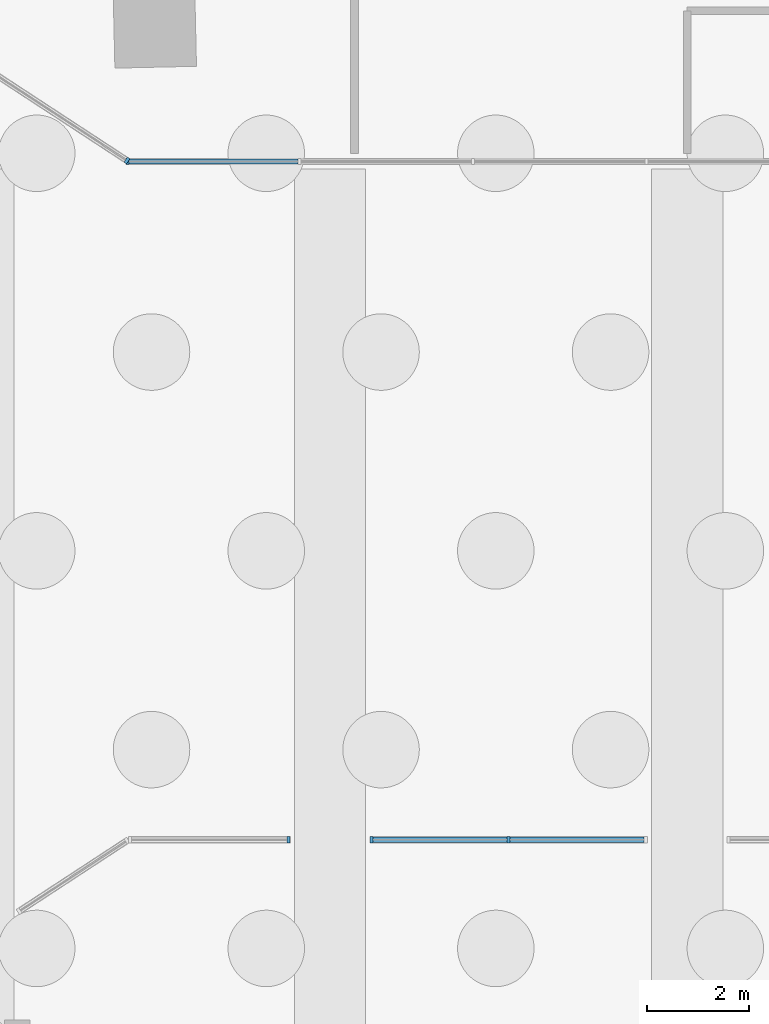
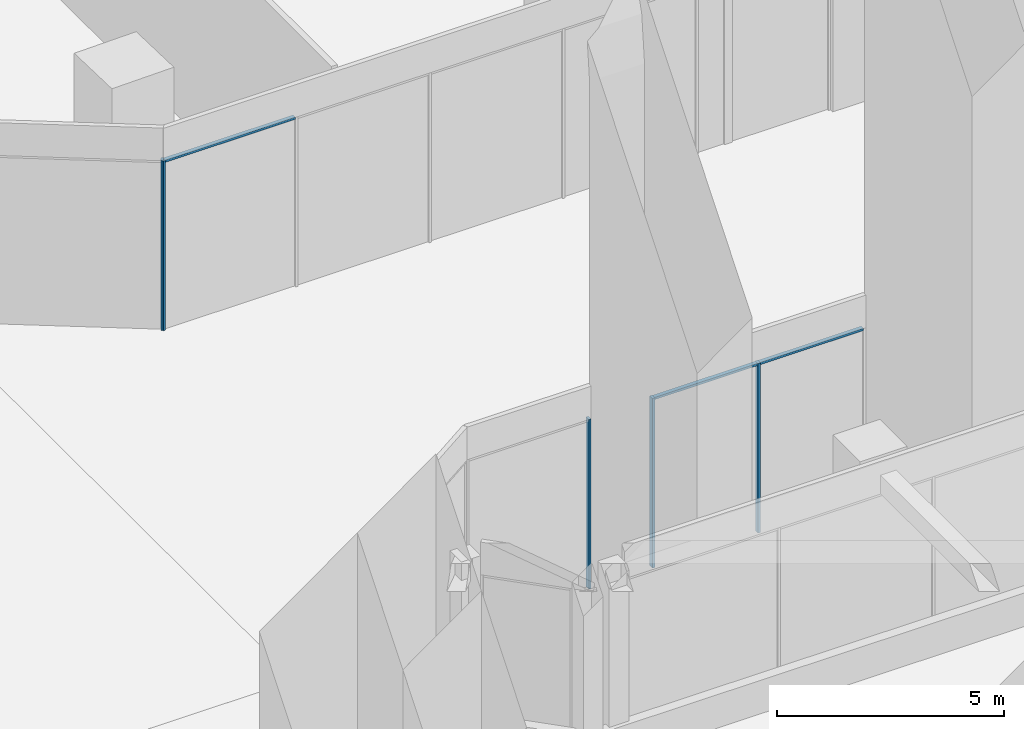
# One storey, part 5 of 46: 8 members, 4 elements without a shape of their own.
"""IFC4 building model written with IfcOpenShell, lengths in metres."""

from ifc_helpers import new_model, si_unit, direction, frame, origin, origin_2d, place, context, subcontext, project, spatial, rectangle, extrude, material, material_profile, profile_set, type_object, element, aggregate, save


model = new_model("IFC4")

# Units and contexts
model_context = context("Model", 3, precision=1e-05, world=origin(), true_north=direction((0.0, 1.0)))
body_context = subcontext(model_context, "Body", "Model", "MODEL_VIEW")
ifc_project = project(units=[si_unit("LENGTHUNIT", "METRE"), si_unit("AREAUNIT", "SQUARE_METRE"), si_unit("VOLUMEUNIT", "CUBIC_METRE"), si_unit("PLANEANGLEUNIT", "RADIAN"), si_unit("MASSUNIT", "GRAM", prefix="KILO")], contexts=[model_context])

# Site, building, storey
site_placement = place(None, origin())
site = spatial("IfcSite", under=ifc_project, at=site_placement, CompositionType="ELEMENT")
building_placement = place(site_placement, origin())
building = spatial("IfcBuilding", under=site, at=building_placement, Name="Mangrove Gate Tower", CompositionType="ELEMENT")
storey_placement = place(building_placement, origin())
storey = spatial("IfcBuildingStorey", under=building, at=storey_placement, Name="L00", CompositionType="ELEMENT", Elevation=0.0)

# Curtain wall, members
ifc_material_1 = material(Name="Aluminium and glass curtain wall", Category="aluminium")
curtain_wall_type = type_object("IfcCurtainWallType", Name="Podium shopfront glazing wall", PredefinedType="NOTDEFINED", material=ifc_material_1)
curtain_wall_1_placement = place(storey_placement, origin())
curtain_wall_1 = element("IfcCurtainWall", 1, at=curtain_wall_1_placement, inside=storey, type_object=curtain_wall_type, Name="Podium shopfront glazing N4018s1", PredefinedType="NOTDEFINED")
ifc_material_2 = material(Name="Aluminium alloy 6063-T6", Category="aluminium")
ifc_material_profile_1 = material_profile(ifc_material_2, rectangle(XDim=0.06005859375, YDim=0.1201171875, at=origin_2d()))
ifc_profile_set_1 = profile_set([ifc_material_profile_1], Name="Aluminium alloy 6063-T6")
member_type_1 = type_object("IfcMemberType", Name="Podium shopfront glazing mullion 60x120", PredefinedType="MULLION", material=ifc_profile_set_1)
member_1_placement = place(storey_placement, frame((-24.5, -25.14990234375, 0.0), z_axis=(0.0, 0.0, 1.0), x_axis=(-1.0, 0.0, 0.0)))
member_1 = element("IfcMember", 2, at=member_1_placement, type_object=member_type_1, Name="CWS mullion 2", PredefinedType="MULLION", context=body_context, shape_type="SweptSolid", body=[
    extrude(rectangle(XDim=0.06005859375, YDim=0.1201171875, at=origin_2d()), origin(), (0.0, 0.0, 1.0), 4.570068359375),
])
member_2_placement = place(storey_placement, frame((-27.18994140625, -25.14990234375, 0.0), z_axis=(0.0, 0.0, 1.0), x_axis=(-1.0, 0.0, 0.0)))
member_2 = element("IfcMember", 3, at=member_2_placement, type_object=member_type_1, Name="CWS mullion 3", PredefinedType="MULLION", context=body_context, shape_type="SweptSolid", body=[
    extrude(rectangle(XDim=0.06005859375, YDim=0.1201171875, at=origin_2d()), origin(), (0.0, 0.0, 1.0), 4.570068359375),
])

# Curtain wall, member
curtain_wall_2_placement = place(storey_placement, origin())
curtain_wall_2 = element("IfcCurtainWall", 4, at=curtain_wall_2_placement, inside=storey, type_object=curtain_wall_type, Name="Podium shopfront glazing N4019s1", PredefinedType="NOTDEFINED")
member_3_placement = place(storey_placement, frame((-28.81005859375, -25.14990234375, 0.0), z_axis=(0.0, 0.0, 1.0), x_axis=(-1.0, 0.0, 0.0)))
member_3 = element("IfcMember", 5, at=member_3_placement, type_object=member_type_1, Name="CWS mullion 1", PredefinedType="MULLION", context=body_context, shape_type="SweptSolid", body=[
    extrude(rectangle(XDim=0.06005859375, YDim=0.1201171875, at=origin_2d()), origin(), (0.0, 0.0, 1.0), 4.570068359375),
])
aggregate(curtain_wall_2, [member_3])

curtain_wall_3_placement = place(storey_placement, origin())
curtain_wall_3 = element("IfcCurtainWall", 6, at=curtain_wall_3_placement, inside=storey, type_object=curtain_wall_type, Name="Podium shopfront glazing S6s1", PredefinedType="NOTDEFINED")
member_4_placement = place(storey_placement, frame((-31.98046875, -11.83349609375, 0.0), z_axis=(0.0, 0.0, 1.0), x_axis=(0.836618528559, -0.54778594147, 0.0)))
member_4 = element("IfcMember", 7, at=member_4_placement, type_object=member_type_1, Name="CWS mullion 2", PredefinedType="MULLION", context=body_context, shape_type="SweptSolid", body=[
    extrude(rectangle(XDim=0.06005859375, YDim=0.1201171875, at=origin_2d()), origin(), (0.0, 0.0, 1.0), 4.570068359375),
])
aggregate(curtain_wall_3, [member_4])

curtain_wall_4_placement = place(storey_placement, origin())
curtain_wall_4 = element("IfcCurtainWall", 8, at=curtain_wall_4_placement, inside=storey, type_object=curtain_wall_type, Name="Podium shopfront glazing S7s1", PredefinedType="NOTDEFINED")
member_5_placement = place(storey_placement, frame((-31.969970703125, -11.85009765625, 0.0), z_axis=(0.0, 0.0, 1.0), x_axis=(1.0, 0.0, 0.0)))
member_5 = element("IfcMember", 9, at=member_5_placement, type_object=member_type_1, Name="CWS mullion 1", PredefinedType="MULLION", context=body_context, shape_type="SweptSolid", body=[
    extrude(rectangle(XDim=0.06005859375, YDim=0.1201171875, at=origin_2d()), origin(), (0.0, 0.0, 1.0), 4.570068359375),
])

# Member
ifc_material_3 = material(Name="Aluminium alloy 6063-T6", Category="aluminium")
ifc_material_profile_2 = material_profile(ifc_material_3, rectangle(XDim=0.06005859375, YDim=0.10009765625, at=origin_2d()))
ifc_profile_set_2 = profile_set([ifc_material_profile_2], Name="Aluminium alloy 6063-T6")
member_type_2 = type_object("IfcMemberType", Name="Podium shopfront glazing transom 60x100", PredefinedType="USERDEFINED", material=ifc_profile_set_2)
member_6_placement = place(storey_placement, frame((-21.840087890625, -25.14990234375, 4.5400390625), z_axis=(-1.0, 0.0, 0.0), x_axis=(0.0, 0.0, 1.0)))
member_6 = element("IfcMember", 10, at=member_6_placement, type_object=member_type_2, Name="CWS transom 1.2", ObjectType="TRANSOM", PredefinedType="USERDEFINED", context=body_context, shape_type="SweptSolid", body=[
    extrude(rectangle(XDim=0.06005859375, YDim=0.10009765625, at=origin_2d()), origin(), (0.0, 0.0, 1.0), 2.6298828125),
])

member_7_placement = place(storey_placement, frame((-24.530029296875, -25.14990234375, 4.5400390625), z_axis=(-1.0, 0.0, 0.0), x_axis=(0.0, 0.0, 1.0)))
member_7 = element("IfcMember", 11, at=member_7_placement, type_object=member_type_2, Name="CWS transom 2.2", ObjectType="TRANSOM", PredefinedType="USERDEFINED", context=body_context, shape_type="SweptSolid", body=[
    extrude(rectangle(XDim=0.06005859375, YDim=0.10009765625, at=origin_2d()), origin(), (0.0, 0.0, 1.0), 2.6298828125),
])

aggregate(curtain_wall_1, [member_1, member_2, member_6, member_7])

member_8_placement = place(storey_placement, frame((-31.93994140625, -11.85009765625, 4.5400390625), z_axis=(1.0, 0.0, 0.0), x_axis=(0.0, 0.0, 1.0)))
member_8 = element("IfcMember", 12, at=member_8_placement, type_object=member_type_2, Name="CWS transom 1.2", ObjectType="TRANSOM", PredefinedType="USERDEFINED", context=body_context, shape_type="SweptSolid", body=[
    extrude(rectangle(XDim=0.06005859375, YDim=0.10009765625, at=origin_2d()), origin(), (0.0, 0.0, 1.0), 3.31005859375),
])

aggregate(curtain_wall_4, [member_5, member_8])

save(model, "model.ifc")
